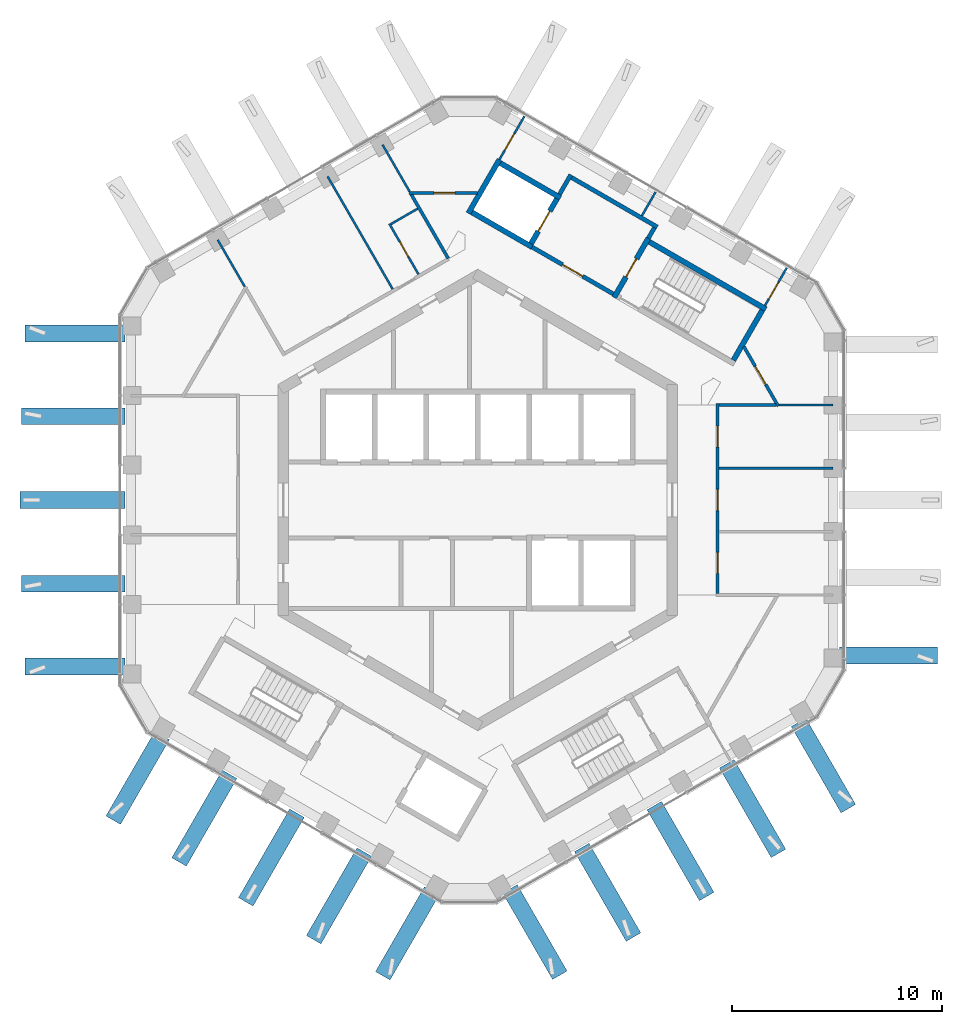
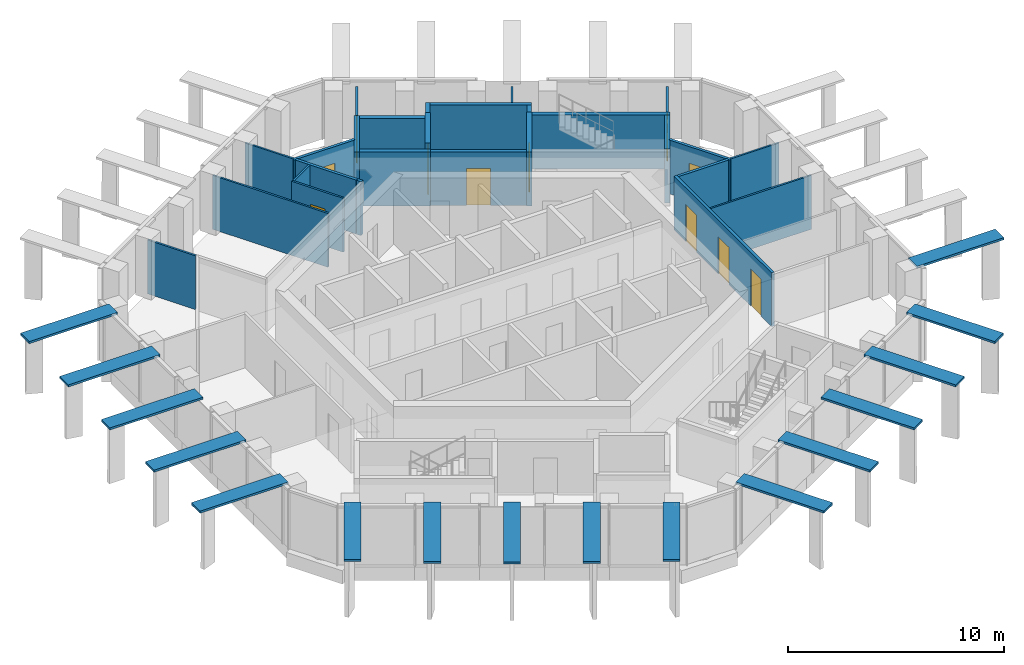
# One storey, part 13 of 18: 27 walls, 16 discrete accessories, 11 doors, 11 openings.
"""IFC4 building model written with IfcOpenShell, lengths in metres."""

from ifc_helpers import new_model, si_unit, direction, frame, frame_2d, origin, origin_2d, place, context, subcontext, project, spatial, rectangle, extrude, material, layer, layer_set, type_object, element, fill, save


model = new_model("IFC4")

# Units and contexts
model_context = context("Model", 3, precision=1e-05, world=origin(), true_north=direction((0.0, 1.0)))
body_context = subcontext(model_context, "Body", "Model", "MODEL_VIEW")
ifc_project = project(units=[si_unit("LENGTHUNIT", "METRE"), si_unit("AREAUNIT", "SQUARE_METRE"), si_unit("VOLUMEUNIT", "CUBIC_METRE"), si_unit("PLANEANGLEUNIT", "RADIAN"), si_unit("MASSUNIT", "GRAM", prefix="KILO")], contexts=[model_context])

# Site, building, storey
site_placement = place(None, origin())
site = spatial("IfcSite", under=ifc_project, at=site_placement, CompositionType="ELEMENT")
building_placement = place(site_placement, origin())
building = spatial("IfcBuilding", under=site, at=building_placement, Name="Ayvan Gate Tower", CompositionType="ELEMENT")
storey_placement = place(building_placement, frame((0.0, 0.0, 242.699951171875)))
storey = spatial("IfcBuildingStorey", under=building, at=storey_placement, Name="L65", CompositionType="ELEMENT", Elevation=242.699951171875)

# Wall, opening, door
ifc_material_1 = material(Name="Plasterboard on steel stud", Category="steel")
ifc_layer_1 = layer(ifc_material_1, 0.14990234375)
ifc_layer_set_1 = layer_set([ifc_layer_1], Name="Plasterboard on steel stud")
wall_type_1 = type_object("IfcWallType", Name="WT-CORR-150", PredefinedType="PARTITIONING", material=ifc_layer_set_1)
wall_1_placement = place(storey_placement, frame((-3.279296875, 14.595947265625, 0.0), z_axis=(0.0, 0.0, 1.0), x_axis=(1.0, 0.0, 0.0)))
wall_1 = element("IfcWall", 1, at=wall_1_placement, inside=storey, type_object=wall_type_1, Name="IW-L65-025", PredefinedType="PARTITIONING", context=body_context, shape_type="SweptSolid", body=[
    extrude(rectangle(XDim=3.267578125, YDim=0.14990234375, at=frame_2d((1.6337890625, 0.0))), origin(), (0.0, 0.0, 1.0), 3.050048828125),
])
opening_1_placement = place(wall_1_placement, frame((1.188720703125, 0.0, 0.0)))
opening_1 = element("IfcOpeningElement", 2, at=opening_1_placement, cuts=wall_1, Name="Opening L65-D27", PredefinedType="OPENING", context=body_context, shape_type="SweptSolid", body=[
    extrude(rectangle(XDim=1.0, YDim=2.10009765625, at=frame_2d((0.5, 1.050048828125))), frame((0.0, 0.0849609375, 0.0), z_axis=(0.0, -1.0, 0.0), x_axis=(1.0, 0.0, 0.0)), (0.0, 0.0, 1.0), 0.169921875),
])
ifc_material_2 = material(Name="Timber door leaf", Category="wood")
door_type_1 = type_object("IfcDoorType", Name="DT-1000", OperationType="NOTDEFINED", PredefinedType="DOOR", material=ifc_material_2)
door_1_placement = place(opening_1_placement, origin())
door_1 = element("IfcDoor", 3, at=door_1_placement, inside=storey, type_object=door_type_1, Name="ID-L65-027", OperationType="SINGLE_SWING_RIGHT", OverallHeight=2.10009765625, OverallWidth=1.0, PredefinedType="DOOR", context=body_context, shape_type="SweptSolid", body=[
    extrude(rectangle(XDim=1.0, YDim=2.10009765625, at=frame_2d((0.5, 1.050048828125))), frame((0.0, 0.02490234375, 0.0), z_axis=(0.0, -1.0, 0.0), x_axis=(1.0, 0.0, 0.0)), (0.0, 0.0, 1.0), 0.050048828125),
])
fill(opening_1, door_1)

# Walls
wall_2_placement = place(storey_placement, frame((-3.1669921875, 14.531005859375, 0.0), z_axis=(0.0, 0.0, 1.0), x_axis=(0.500017912207, -0.86601506192, 0.0)))
element("IfcWall", 4, at=wall_2_placement, inside=storey, type_object=wall_type_1, Name="IW-L65-027", PredefinedType="PARTITIONING", context=body_context, shape_type="SweptSolid", body=[
    extrude(rectangle(XDim=3.24267578125, YDim=0.14990234375, at=frame_2d((1.621337890625, 0.0))), origin(), (0.0, 0.0, 1.0), 3.050048828125),
])
wall_3_placement = place(storey_placement, frame((-1.53564453125, 11.70556640625, 0.0), z_axis=(0.0, 0.0, 1.0), x_axis=(0.500200859313, -0.865909406545, 0.0)))
element("IfcWall", 5, at=wall_3_placement, inside=storey, type_object=wall_type_1, Name="IW-L65-032", PredefinedType="PARTITIONING", context=body_context, shape_type="SweptSolid", body=[
    extrude(rectangle(XDim=0.26513671875, YDim=0.14990234375, at=frame_2d((0.132568359375, 0.0))), origin(), (0.0, 0.0, 1.0), 3.050048828125),
])

# Wall, openings, doors
wall_4_placement = place(storey_placement, frame((11.39990234375, -4.447998046875, 0.0), z_axis=(0.0, 0.0, 1.0), x_axis=(0.0, 1.0, 0.0)))
wall_4 = element("IfcWall", 6, at=wall_4_placement, inside=storey, type_object=wall_type_1, Name="IW-L65-072", PredefinedType="PARTITIONING", context=body_context, shape_type="SweptSolid", body=[
    extrude(rectangle(XDim=9.0458984375, YDim=0.14990234375, at=frame_2d((4.52294921875, 0.0))), origin(), (0.0, 0.0, 1.0), 3.050048828125),
])
opening_2_placement = place(wall_4_placement, frame((0.955078125, 0.0, 0.0)))
opening_2 = element("IfcOpeningElement", 7, at=opening_2_placement, cuts=wall_4, Name="Opening L65-D22", PredefinedType="OPENING", context=body_context, shape_type="SweptSolid", body=[
    extrude(rectangle(XDim=1.0, YDim=2.10009765625, at=frame_2d((0.5, 1.050048828125))), frame((0.0, 0.0849609375, 0.0), z_axis=(0.0, -1.0, 0.0), x_axis=(1.0, 0.0, 0.0)), (0.0, 0.0, 1.0), 0.169921875),
])
opening_3_placement = place(wall_4_placement, frame((3.947998046875, 0.0, 0.0)))
opening_3 = element("IfcOpeningElement", 8, at=opening_3_placement, cuts=wall_4, Name="Opening L65-D23", PredefinedType="OPENING", context=body_context, shape_type="SweptSolid", body=[
    extrude(rectangle(XDim=1.0, YDim=2.10009765625, at=frame_2d((0.5, 1.050048828125))), frame((0.0, 0.0849609375, 0.0), z_axis=(0.0, -1.0, 0.0), x_axis=(1.0, 0.0, 0.0)), (0.0, 0.0, 1.0), 0.169921875),
])
opening_4_placement = place(wall_4_placement, frame((6.96337890625, 0.0, 0.0)))
opening_4 = element("IfcOpeningElement", 9, at=opening_4_placement, cuts=wall_4, Name="Opening L65-D24", PredefinedType="OPENING", context=body_context, shape_type="SweptSolid", body=[
    extrude(rectangle(XDim=1.0, YDim=2.10009765625, at=frame_2d((0.5, 1.050048828125))), frame((0.0, 0.0849609375, 0.0), z_axis=(0.0, -1.0, 0.0), x_axis=(1.0, 0.0, 0.0)), (0.0, 0.0, 1.0), 0.169921875),
])
door_2_placement = place(opening_2_placement, origin())
door_2 = element("IfcDoor", 10, at=door_2_placement, inside=storey, type_object=door_type_1, Name="ID-L65-022", OperationType="SINGLE_SWING_LEFT", OverallHeight=2.10009765625, OverallWidth=1.0, PredefinedType="DOOR", context=body_context, shape_type="SweptSolid", body=[
    extrude(rectangle(XDim=1.0, YDim=2.10009765625, at=frame_2d((0.5, 1.050048828125))), frame((0.0, 0.02490234375, 0.0), z_axis=(0.0, -1.0, 0.0), x_axis=(1.0, 0.0, 0.0)), (0.0, 0.0, 1.0), 0.050048828125),
])
fill(opening_2, door_2)
door_3_placement = place(opening_3_placement, origin())
door_3 = element("IfcDoor", 11, at=door_3_placement, inside=storey, type_object=door_type_1, Name="ID-L65-023", OperationType="SINGLE_SWING_RIGHT", OverallHeight=2.10009765625, OverallWidth=1.0, PredefinedType="DOOR", context=body_context, shape_type="SweptSolid", body=[
    extrude(rectangle(XDim=1.0, YDim=2.10009765625, at=frame_2d((0.5, 1.050048828125))), frame((0.0, 0.02490234375, 0.0), z_axis=(0.0, -1.0, 0.0), x_axis=(1.0, 0.0, 0.0)), (0.0, 0.0, 1.0), 0.050048828125),
])
fill(opening_3, door_3)
door_4_placement = place(opening_4_placement, origin())
door_4 = element("IfcDoor", 12, at=door_4_placement, inside=storey, type_object=door_type_1, Name="ID-L65-024", OperationType="SINGLE_SWING_LEFT", OverallHeight=2.10009765625, OverallWidth=1.0, PredefinedType="DOOR", context=body_context, shape_type="SweptSolid", body=[
    extrude(rectangle(XDim=1.0, YDim=2.10009765625, at=frame_2d((0.5, 1.050048828125))), frame((0.0, 0.02490234375, 0.0), z_axis=(0.0, -1.0, 0.0), x_axis=(1.0, 0.0, 0.0)), (0.0, 0.0, 1.0), 0.050048828125),
])
fill(opening_4, door_4)

# Wall, opening, door
wall_5_placement = place(storey_placement, frame((12.646484375, 7.287841796875, 0.0), z_axis=(0.0, 0.0, 1.0), x_axis=(0.499996247212, -0.866027570447, 0.0)))
wall_5 = element("IfcWall", 13, at=wall_5_placement, inside=storey, type_object=wall_type_1, Name="IW-L65-076", PredefinedType="PARTITIONING", context=body_context, shape_type="SweptSolid", body=[
    extrude(rectangle(XDim=3.267578125, YDim=0.14990234375, at=frame_2d((1.6337890625, 0.0))), origin(), (0.0, 0.0, 1.0), 3.050048828125),
])
opening_5_placement = place(wall_5_placement, frame((1.0791015625, 0.0, 0.0)))
opening_5 = element("IfcOpeningElement", 14, at=opening_5_placement, cuts=wall_5, Name="Opening L65-D25", PredefinedType="OPENING", context=body_context, shape_type="SweptSolid", body=[
    extrude(rectangle(XDim=1.0, YDim=2.10009765625, at=frame_2d((0.5, 1.050048828125))), frame((0.0, 0.0849609375, 0.0), z_axis=(0.0, -1.0, 0.0), x_axis=(1.0, 0.0, 0.0)), (0.0, 0.0, 1.0), 0.169921875),
])
door_5_placement = place(opening_5_placement, origin())
door_5 = element("IfcDoor", 15, at=door_5_placement, inside=storey, type_object=door_type_1, Name="ID-L65-025", OperationType="SINGLE_SWING_RIGHT", OverallHeight=2.10009765625, OverallWidth=1.0, PredefinedType="DOOR", context=body_context, shape_type="SweptSolid", body=[
    extrude(rectangle(XDim=1.0, YDim=2.10009765625, at=frame_2d((0.5, 1.050048828125))), frame((0.0, 0.02490234375, 0.0), z_axis=(0.0, -1.0, 0.0), x_axis=(1.0, 0.0, 0.0)), (0.0, 0.0, 1.0), 0.050048828125),
])
fill(opening_5, door_5)

# Walls
wall_6_placement = place(storey_placement, frame((14.167724609375, 4.52294921875, 0.0), z_axis=(0.0, 0.0, 1.0), x_axis=(-1.0, 0.0, 0.0)))
element("IfcWall", 16, at=wall_6_placement, inside=storey, type_object=wall_type_1, Name="IW-L65-079", PredefinedType="PARTITIONING", context=body_context, shape_type="SweptSolid", body=[
    extrude(rectangle(XDim=2.69287109375, YDim=0.14990234375, at=frame_2d((1.346435546875, 0.0))), origin(), (0.0, 0.0, 1.0), 3.050048828125),
])
ifc_layer_2 = layer(ifc_material_1, 0.10009765625)
ifc_layer_set_2 = layer_set([ifc_layer_2], Name="Plasterboard on steel stud")
wall_type_2 = type_object("IfcWallType", Name="WT-PART-100", PredefinedType="PARTITIONING", material=ifc_layer_set_2)
wall_7_placement = place(storey_placement, frame((-12.360595703125, 12.363525390625, 0.0), z_axis=(0.0, 0.0, 1.0), x_axis=(0.499960970066, -0.866047936555, 0.0)))
element("IfcWall", 17, at=wall_7_placement, inside=storey, type_object=wall_type_2, Name="IW-L65-003", PredefinedType="PARTITIONING", context=body_context, shape_type="SweptSolid", body=[
    extrude(rectangle(XDim=2.569580078125, YDim=0.10009765625, at=frame_2d((1.28466796875, 0.0))), origin(), (0.0, 0.0, 1.0), 3.050048828125),
])

# Wall, opening, door
wall_8_placement = place(storey_placement, frame((-4.20361328125, 13.126708984375, 0.0), z_axis=(0.0, 0.0, 1.0), x_axis=(0.50000932403, -0.866020020486, 0.0)))
wall_8 = element("IfcWall", 18, at=wall_8_placement, inside=storey, type_object=wall_type_2, Name="IW-L65-019", PredefinedType="PARTITIONING", context=body_context, shape_type="SweptSolid", body=[
    extrude(rectangle(XDim=2.77490234375, YDim=0.10009765625, at=frame_2d((1.387451171875, 0.0))), origin(), (0.0, 0.0, 1.0), 3.050048828125),
])
opening_6_placement = place(wall_8_placement, frame((1.012451171875, 0.0, 0.0)))
opening_6 = element("IfcOpeningElement", 19, at=opening_6_placement, cuts=wall_8, Name="Opening L65-D35", PredefinedType="OPENING", context=body_context, shape_type="SweptSolid", body=[
    extrude(rectangle(XDim=0.800048828125, YDim=2.10009765625, at=frame_2d((0.39990234375, 1.050048828125))), frame((0.0, 0.06005859375, 0.0), z_axis=(0.0, -1.0, 0.0), x_axis=(1.0, 0.0, 0.0)), (0.0, 0.0, 1.0), 0.1201171875),
])
door_type_2 = type_object("IfcDoorType", Name="DT-800", OperationType="NOTDEFINED", PredefinedType="DOOR", material=ifc_material_2)
door_6_placement = place(opening_6_placement, origin())
door_6 = element("IfcDoor", 20, at=door_6_placement, inside=storey, type_object=door_type_2, Name="ID-L65-035", OperationType="SINGLE_SWING_RIGHT", OverallHeight=2.10009765625, OverallWidth=0.800048828125, PredefinedType="DOOR", context=body_context, shape_type="SweptSolid", body=[
    extrude(rectangle(XDim=0.800048828125, YDim=2.10009765625, at=frame_2d((0.39990234375, 1.050048828125))), frame((0.0, 0.02490234375, 0.0), z_axis=(0.0, -1.0, 0.0), x_axis=(1.0, 0.0, 0.0)), (0.0, 0.0, 1.0), 0.050048828125),
])
fill(opening_6, door_6)

# Walls
wall_9_placement = place(storey_placement, frame((-4.041748046875, 10.01611328125, 0.0), z_axis=(0.0, 0.0, 1.0), x_axis=(-0.500027320894, 0.866009629484, 0.0)))
element("IfcWall", 21, at=wall_9_placement, inside=storey, type_object=wall_type_2, Name="IW-L65-020", PredefinedType="PARTITIONING", context=body_context, shape_type="SweptSolid", body=[
    extrude(rectangle(XDim=6.192626953125, YDim=0.10009765625, at=frame_2d((3.09619140625, 0.0))), origin(), (0.0, 0.0, 1.0), 3.050048828125),
])
wall_10_placement = place(storey_placement, frame((-3.241943359375, 14.660888671875, 0.0), z_axis=(0.0, 0.0, 1.0), x_axis=(-0.499991089772, 0.866030548046, 0.0)))
element("IfcWall", 22, at=wall_10_placement, inside=storey, type_object=wall_type_2, Name="IW-L65-024", PredefinedType="PARTITIONING", context=body_context, shape_type="SweptSolid", body=[
    extrude(rectangle(XDim=2.56982421875, YDim=0.10009765625, at=frame_2d((1.284912109375, 0.0))), origin(), (0.0, 0.0, 1.0), 3.050048828125),
])
wall_11_placement = place(storey_placement, frame((-2.85791015625, 13.845947265625, 0.0), z_axis=(0.0, 0.0, 1.0), x_axis=(-0.866003658127, -0.500037662692, 0.0)))
element("IfcWall", 23, at=wall_11_placement, inside=storey, type_object=wall_type_2, Name="IW-L65-026", PredefinedType="PARTITIONING", context=body_context, shape_type="SweptSolid", body=[
    extrude(rectangle(XDim=1.47509765625, YDim=0.10009765625, at=frame_2d((0.737548828125, 0.0))), origin(), (0.0, 0.0, 1.0), 3.050048828125),
])

# Wall, opening, door
wall_12_placement = place(storey_placement, frame((2.211181640625, 18.229736328125, 0.0), z_axis=(0.0, 0.0, 1.0), x_axis=(-0.50001992892, -0.866013897511, 0.0)))
wall_12 = element("IfcWall", 24, at=wall_12_placement, inside=storey, type_object=wall_type_2, Name="IW-L65-042", PredefinedType="PARTITIONING", context=body_context, shape_type="SweptSolid", body=[
    extrude(rectangle(XDim=2.3681640625, YDim=0.10009765625, at=frame_2d((1.18408203125, 0.0))), origin(), (0.0, 0.0, 1.0), 3.050048828125),
])
opening_7_placement = place(wall_12_placement, frame((0.944580078125, 0.0, 0.0)))
opening_7 = element("IfcOpeningElement", 25, at=opening_7_placement, cuts=wall_12, Name="Opening L65-D28", PredefinedType="OPENING", context=body_context, shape_type="SweptSolid", body=[
    extrude(rectangle(XDim=0.89990234375, YDim=2.10009765625, at=frame_2d((0.449951171875, 1.050048828125))), frame((0.0, 0.06005859375, 0.0), z_axis=(0.0, -1.0, 0.0), x_axis=(1.0, 0.0, 0.0)), (0.0, 0.0, 1.0), 0.1201171875),
])
door_type_3 = type_object("IfcDoorType", Name="DT-900", OperationType="NOTDEFINED", PredefinedType="DOOR", material=ifc_material_2)
door_7_placement = place(opening_7_placement, origin())
door_7 = element("IfcDoor", 26, at=door_7_placement, inside=storey, type_object=door_type_3, Name="ID-L65-028", OperationType="SINGLE_SWING_LEFT", OverallHeight=2.10009765625, OverallWidth=0.89990234375, PredefinedType="DOOR", context=body_context, shape_type="SweptSolid", body=[
    extrude(rectangle(XDim=0.89990234375, YDim=2.10009765625, at=frame_2d((0.449951171875, 1.050048828125))), frame((0.0, 0.02490234375, 0.0), z_axis=(0.0, -1.0, 0.0), x_axis=(1.0, 0.0, 0.0)), (0.0, 0.0, 1.0), 0.050048828125),
])
fill(opening_7, door_7)

# Walls
wall_13_placement = place(storey_placement, frame((7.800048828125, 13.510009765625, 0.0), z_axis=(0.0, 0.0, 1.0), x_axis=(0.499956713172, 0.866050394004, 0.0)))
element("IfcWall", 27, at=wall_13_placement, inside=storey, type_object=wall_type_2, Name="IW-L65-063", PredefinedType="PARTITIONING", context=body_context, shape_type="SweptSolid", body=[
    extrude(rectangle(XDim=1.29296875, YDim=0.10009765625, at=frame_2d((0.646484375, 0.0))), origin(), (0.0, 0.0, 1.0), 3.050048828125),
])
wall_14_placement = place(storey_placement, frame((11.47509765625, 1.5078125, 0.0), z_axis=(0.0, 0.0, 1.0), x_axis=(1.0, 0.0, 0.0)))
element("IfcWall", 28, at=wall_14_placement, inside=storey, type_object=wall_type_2, Name="IW-L65-073", PredefinedType="PARTITIONING", context=body_context, shape_type="SweptSolid", body=[
    extrude(rectangle(XDim=5.412353515625, YDim=0.10009765625, at=frame_2d((2.7060546875, 0.0))), origin(), (0.0, 0.0, 1.0), 3.050048828125),
])

# Wall, opening, door
wall_15_placement = place(storey_placement, frame((13.647705078125, 9.23876953125, 0.0), z_axis=(0.0, 0.0, 1.0), x_axis=(0.500049439734, 0.865996857859, 0.0)))
wall_15 = element("IfcWall", 29, at=wall_15_placement, inside=storey, type_object=wall_type_2, Name="IW-L65-078", PredefinedType="PARTITIONING", context=body_context, shape_type="SweptSolid", body=[
    extrude(rectangle(XDim=2.068115234375, YDim=0.10009765625, at=frame_2d((1.0341796875, 0.0))), origin(), (0.0, 0.0, 1.0), 3.050048828125),
])
opening_8_placement = place(wall_15_placement, frame((0.37353515625, 0.0, 0.0)))
opening_8 = element("IfcOpeningElement", 30, at=opening_8_placement, cuts=wall_15, Name="Opening L65-D26", PredefinedType="OPENING", context=body_context, shape_type="SweptSolid", body=[
    extrude(rectangle(XDim=0.89990234375, YDim=2.10009765625, at=frame_2d((0.449951171875, 1.050048828125))), frame((0.0, 0.06005859375, 0.0), z_axis=(0.0, -1.0, 0.0), x_axis=(1.0, 0.0, 0.0)), (0.0, 0.0, 1.0), 0.1201171875),
])
door_8_placement = place(opening_8_placement, origin())
door_8 = element("IfcDoor", 31, at=door_8_placement, inside=storey, type_object=door_type_3, Name="ID-L65-026", OperationType="SINGLE_SWING_LEFT", OverallHeight=2.10009765625, OverallWidth=0.89990234375, PredefinedType="DOOR", context=body_context, shape_type="SweptSolid", body=[
    extrude(rectangle(XDim=0.89990234375, YDim=2.10009765625, at=frame_2d((0.449951171875, 1.050048828125))), frame((0.0, 0.02490234375, 0.0), z_axis=(0.0, -1.0, 0.0), x_axis=(1.0, 0.0, 0.0)), (0.0, 0.0, 1.0), 0.050048828125),
])
fill(opening_8, door_8)

# Walls
wall_16_placement = place(storey_placement, frame((14.317626953125, 4.52294921875, 0.0), z_axis=(0.0, 0.0, 1.0), x_axis=(1.0, 0.0, 0.0)))
element("IfcWall", 32, at=wall_16_placement, inside=storey, type_object=wall_type_2, Name="IW-L65-080", PredefinedType="PARTITIONING", context=body_context, shape_type="SweptSolid", body=[
    extrude(rectangle(XDim=2.56982421875, YDim=0.10009765625, at=frame_2d((1.284912109375, 0.0))), origin(), (0.0, 0.0, 1.0), 3.050048828125),
])
ifc_layer_3 = layer(ifc_material_1, 0.199951171875)
ifc_layer_set_3 = layer_set([ifc_layer_3], Name="Plasterboard on steel stud")
wall_type_3 = type_object("IfcWallType", Name="WT-RATED-200", PredefinedType="PARTITIONING", material=ifc_layer_set_3)
wall_17_placement = place(storey_placement, frame((3.885009765625, 14.52880859375, 0.0), z_axis=(0.0, 0.0, 1.0), x_axis=(0.499997628298, 0.866026773083, 0.0)))
element("IfcWall", 33, at=wall_17_placement, inside=storey, type_object=wall_type_3, Name="IW-L65-049", PredefinedType="PARTITIONING", context=body_context, shape_type="SweptSolid", body=[
    extrude(rectangle(XDim=1.0751953125, YDim=0.199951171875, at=frame_2d((0.53759765625, 0.0))), origin(), (0.0, 0.0, 1.0), 3.050048828125),
])
wall_18_placement = place(storey_placement, frame((4.458984375, 15.323486328125, 0.0), z_axis=(0.0, 0.0, 1.0), x_axis=(0.866016039709, -0.500016218704, 0.0)))
element("IfcWall", 34, at=wall_18_placement, inside=storey, type_object=wall_type_3, Name="IW-L65-050", PredefinedType="PARTITIONING", context=body_context, shape_type="SweptSolid", body=[
    extrude(rectangle(XDim=4.699951171875, YDim=0.199951171875, at=frame_2d((2.35009765625, 0.0))), origin(), (0.0, 0.0, 1.0), 3.050048828125),
])

# Wall, opening, door
wall_19_placement = place(storey_placement, frame((6.4345703125, 9.794921875, 0.0), z_axis=(0.0, 0.0, 1.0), x_axis=(-0.866012907634, 0.500021643343, 0.0)))
wall_19 = element("IfcWall", 35, at=wall_19_placement, inside=storey, type_object=wall_type_3, Name="IW-L65-055", PredefinedType="PARTITIONING", context=body_context, shape_type="SweptSolid", body=[
    extrude(rectangle(XDim=4.449951171875, YDim=0.199951171875, at=frame_2d((2.22509765625, 0.0))), origin(), (0.0, 0.0, 1.0), 3.050048828125),
])
opening_9_placement = place(wall_19_placement, frame((1.675048828125, 0.0, 0.0)))
opening_9 = element("IfcOpeningElement", 36, at=opening_9_placement, cuts=wall_19, Name="Opening L65-D13", PredefinedType="OPENING", context=body_context, shape_type="SweptSolid", body=[
    extrude(rectangle(XDim=1.10009765625, YDim=2.10009765625, at=frame_2d((0.550048828125, 1.050048828125))), frame((0.0, 0.10986328125, 0.0), z_axis=(0.0, -1.0, 0.0), x_axis=(1.0, 0.0, 0.0)), (0.0, 0.0, 1.0), 0.219970703125),
])
door_type_4 = type_object("IfcDoorType", Name="DT-1100", OperationType="NOTDEFINED", PredefinedType="DOOR", material=ifc_material_2)
door_9_placement = place(opening_9_placement, origin())
door_9 = element("IfcDoor", 37, at=door_9_placement, inside=storey, type_object=door_type_4, Name="ID-L65-013", OperationType="SINGLE_SWING_RIGHT", OverallHeight=2.10009765625, OverallWidth=1.10009765625, PredefinedType="DOOR", context=body_context, shape_type="SweptSolid", body=[
    extrude(rectangle(XDim=1.10009765625, YDim=2.10009765625, at=frame_2d((0.550048828125, 1.050048828125))), frame((0.0, 0.02490234375, 0.0), z_axis=(0.0, -1.0, 0.0), x_axis=(1.0, 0.0, 0.0)), (0.0, 0.0, 1.0), 0.050048828125),
])
fill(opening_9, door_9)

# Walls
wall_20_placement = place(storey_placement, frame((8.392822265625, 12.936767578125, 0.0), z_axis=(0.0, 0.0, 1.0), x_axis=(-0.500065409566, -0.86598763626, 0.0)))
element("IfcWall", 38, at=wall_20_placement, inside=storey, type_object=wall_type_3, Name="IW-L65-065", PredefinedType="PARTITIONING", context=body_context, shape_type="SweptSolid", body=[
    extrude(rectangle(XDim=0.5751953125, YDim=0.199951171875, at=frame_2d((0.28759765625, 0.0))), origin(), (0.0, 0.0, 1.0), 3.050048828125),
])
ifc_material_3 = material(Name="Concrete C50/60", Category="concrete")
ifc_layer_4 = layer(ifc_material_3, 0.25)
ifc_layer_set_4 = layer_set([ifc_layer_4], Name="Concrete C50/60")
wall_type_4 = type_object("IfcWallType", Name="WT-RC-250", PredefinedType="SHEAR", material=ifc_layer_set_4)
wall_21_placement = place(storey_placement, frame((-0.447998046875, 13.624267578125, 0.0), z_axis=(0.0, 0.0, 1.0), x_axis=(0.500037662692, 0.866003658127, 0.0)))
element("IfcWall", 39, at=wall_21_placement, inside=storey, type_object=wall_type_4, Name="IW-L65-036", PredefinedType="SHEAR", context=body_context, shape_type="SweptSolid", body=[
    extrude(rectangle(XDim=2.949951171875, YDim=0.25, at=frame_2d((1.47509765625, 0.0))), origin(), (0.0, 0.0, 1.0), 3.050048828125),
])
for number, where, z_axis, x_axis, name in (
    (40, (1.072998046875, 16.00830078125, 0.0), (0.0, 0.0, 1.0), (0.866040211805, -0.499974350878, 0.0), "IW-L65-039"),
    (41, (2.580810546875, 12.02001953125, 0.0), (0.0, 0.0, 1.0), (-0.866040211805, 0.499974350878, 0.0), "IW-L65-045"),
):
    element("IfcWall", number, at=place(storey_placement, frame(where, z_axis=z_axis, x_axis=x_axis)), inside=storey, type_object=wall_type_4, Name=name, PredefinedType="SHEAR", context=body_context, shape_type="SweptSolid", body=[
        extrude(rectangle(XDim=3.300048828125, YDim=0.25, at=frame_2d((1.64990234375, 0.0))), origin(), (0.0, 0.0, 1.0), 3.050048828125),
    ])

# Wall, opening, door
wall_22_placement = place(storey_placement, frame((2.534912109375, 12.19091796875, 0.0), z_axis=(0.0, 0.0, 1.0), x_axis=(0.500061746146, 0.865989751695, 0.0)))
wall_22 = element("IfcWall", 42, at=wall_22_placement, inside=storey, type_object=wall_type_4, Name="IW-L65-046", PredefinedType="SHEAR", context=body_context, shape_type="SweptSolid", body=[
    extrude(rectangle(XDim=2.449951171875, YDim=0.25, at=frame_2d((1.22509765625, 0.0))), origin(), (0.0, 0.0, 1.0), 3.400146484375),
])
opening_10_placement = place(wall_22_placement, frame((0.675048828125, 0.0, 0.0)))
opening_10 = element("IfcOpeningElement", 43, at=opening_10_placement, cuts=wall_22, Name="Opening L65-LD-FF1", PredefinedType="OPENING", context=body_context, shape_type="SweptSolid", body=[
    extrude(rectangle(XDim=1.10009765625, YDim=2.10009765625, at=frame_2d((0.550048828125, 1.050048828125))), frame((0.0, 0.135009765625, 0.0), z_axis=(0.0, -1.0, 0.0), x_axis=(1.0, 0.0, 0.0)), (0.0, 0.0, 1.0), 0.27001953125),
])
ifc_material_4 = material(Name="Stainless steel landing door", Category="steel")
door_type_5 = type_object("IfcDoorType", Name="DT-LANDING-1100", OperationType="SLIDING_TO_LEFT", PredefinedType="DOOR", material=ifc_material_4)
door_10_placement = place(opening_10_placement, origin())
door_10 = element("IfcDoor", 44, at=door_10_placement, inside=storey, type_object=door_type_5, Name="ID-L65-014", OperationType="SLIDING_TO_LEFT", OverallHeight=2.10009765625, OverallWidth=1.10009765625, PredefinedType="DOOR", context=body_context, shape_type="SweptSolid", body=[
    extrude(rectangle(XDim=1.10009765625, YDim=2.10009765625, at=frame_2d((0.550048828125, 1.050048828125))), frame((0.0, 0.02490234375, 0.0), z_axis=(0.0, -1.0, 0.0), x_axis=(1.0, 0.0, 0.0)), (0.0, 0.0, 1.0), 0.050048828125),
])
fill(opening_10, door_10)

wall_23_placement = place(storey_placement, frame((6.480224609375, 9.624267578125, 0.0), z_axis=(0.0, 0.0, 1.0), x_axis=(0.500017246033, 0.866015446554, 0.0)))
wall_23 = element("IfcWall", 45, at=wall_23_placement, inside=storey, type_object=wall_type_4, Name="IW-L65-056", PredefinedType="SHEAR", context=body_context, shape_type="SweptSolid", body=[
    extrude(rectangle(XDim=3.25, YDim=0.25, at=frame_2d((1.625, 0.0))), origin(), (0.0, 0.0, 1.0), 3.050048828125),
])
opening_11_placement = place(wall_23_placement, frame((1.125, 0.0, 0.0)))
opening_11 = element("IfcOpeningElement", 46, at=opening_11_placement, cuts=wall_23, Name="Opening L65-D12", PredefinedType="OPENING", context=body_context, shape_type="SweptSolid", body=[
    extrude(rectangle(XDim=1.0, YDim=2.10009765625, at=frame_2d((0.5, 1.050048828125))), frame((0.0, 0.135009765625, 0.0), z_axis=(0.0, -1.0, 0.0), x_axis=(1.0, 0.0, 0.0)), (0.0, 0.0, 1.0), 0.27001953125),
])
door_11_placement = place(opening_11_placement, origin())
door_11 = element("IfcDoor", 47, at=door_11_placement, inside=storey, type_object=door_type_1, Name="ID-L65-012", OperationType="SINGLE_SWING_LEFT", OverallHeight=2.10009765625, OverallWidth=1.0, PredefinedType="DOOR", context=body_context, shape_type="SweptSolid", body=[
    extrude(rectangle(XDim=1.0, YDim=2.10009765625, at=frame_2d((0.5, 1.050048828125))), frame((0.0, 0.02490234375, 0.0), z_axis=(0.0, -1.0, 0.0), x_axis=(1.0, 0.0, 0.0)), (0.0, 0.0, 1.0), 0.050048828125),
])
fill(opening_11, door_11)

# Walls
wall_24_placement = place(storey_placement, frame((8.151123046875, 12.26806640625, 0.0), z_axis=(0.0, 0.0, 1.0), x_axis=(0.866025499775, -0.499999833739, 0.0)))
element("IfcWall", 48, at=wall_24_placement, inside=storey, type_object=wall_type_4, Name="IW-L65-064", PredefinedType="SHEAR", context=body_context, shape_type="SweptSolid", body=[
    extrude(rectangle(XDim=6.39990234375, YDim=0.25, at=frame_2d((3.199951171875, 0.0))), origin(), (0.0, 0.0, 1.0), 3.050048828125),
])
wall_25_placement = place(storey_placement, frame((12.14794921875, 6.640869140625, 0.0), z_axis=(0.0, 0.0, 1.0), x_axis=(0.500034990121, 0.866005201286, 0.0)))
element("IfcWall", 49, at=wall_25_placement, inside=storey, type_object=wall_type_4, Name="IW-L65-077", PredefinedType="SHEAR", context=body_context, shape_type="SweptSolid", body=[
    extrude(rectangle(XDim=2.749755859375, YDim=0.25, at=frame_2d((1.375, 0.0))), origin(), (0.0, 0.0, 1.0), 3.050048828125),
])

# Discrete accessories
ifc_material_5 = material(Name="Stainless steel 316", Category="steel")
ifc_layer_5 = layer(ifc_material_5, 0.1201171875)
ifc_layer_set_5 = layer_set([ifc_layer_5], Name="Stainless steel 316")
discrete_accessory_type = type_object("IfcDiscreteAccessoryType", Name="Fin carrier bracket", PredefinedType="BRACKET", material=ifc_layer_set_5)
discrete_accessory_1_placement = place(storey_placement, frame((-19.140380859375, -7.916748046875, 3.280029296875), z_axis=(0.0, 0.0, 1.0), x_axis=(0.0, -1.0, 0.0)))
element("IfcDiscreteAccessory", 50, at=discrete_accessory_1_placement, inside=storey, type_object=discrete_accessory_type, Name="Fin carrier 153", PredefinedType="BRACKET", context=body_context, shape_type="SweptSolid", body=[
    extrude(rectangle(XDim=0.800048828125, YDim=4.736572265625, at=origin_2d()), origin(), (0.0, 0.0, 1.0), 0.1201171875),
])
discrete_accessory_2_placement = place(storey_placement, frame((-19.23095703125, -3.977783203125, 3.280029296875), z_axis=(0.0, 0.0, 1.0), x_axis=(0.0, -1.0, 0.0)))
element("IfcDiscreteAccessory", 51, at=discrete_accessory_2_placement, inside=storey, type_object=discrete_accessory_type, Name="Fin carrier 161", PredefinedType="BRACKET", context=body_context, shape_type="SweptSolid", body=[
    extrude(rectangle(XDim=0.800048828125, YDim=4.917724609375, at=origin_2d()), origin(), (0.0, 0.0, 1.0), 0.1201171875),
])
discrete_accessory_3_placement = place(storey_placement, frame((-19.26416015625, -0.000244140625, 3.280029296875), z_axis=(0.0, 0.0, 1.0), x_axis=(0.0, -1.0, 0.0)))
element("IfcDiscreteAccessory", 52, at=discrete_accessory_3_placement, inside=storey, type_object=discrete_accessory_type, Name="Fin carrier 170", PredefinedType="BRACKET", context=body_context, shape_type="SweptSolid", body=[
    extrude(rectangle(XDim=0.800048828125, YDim=4.984130859375, at=origin_2d()), origin(), (0.0, 0.0, 1.0), 0.1201171875),
])
discrete_accessory_4_placement = place(storey_placement, frame((-19.23095703125, 3.977294921875, 3.280029296875), z_axis=(0.0, 0.0, 1.0), x_axis=(0.0, -1.0, 0.0)))
element("IfcDiscreteAccessory", 53, at=discrete_accessory_4_placement, inside=storey, type_object=discrete_accessory_type, Name="Fin carrier 178", PredefinedType="BRACKET", context=body_context, shape_type="SweptSolid", body=[
    extrude(rectangle(XDim=0.800048828125, YDim=4.917724609375, at=origin_2d()), origin(), (0.0, 0.0, 1.0), 0.1201171875),
])
discrete_accessory_5_placement = place(storey_placement, frame((-19.140380859375, 7.916748046875, 3.280029296875), z_axis=(0.0, 0.0, 1.0), x_axis=(0.0, -1.0, 0.0)))
element("IfcDiscreteAccessory", 54, at=discrete_accessory_5_placement, inside=storey, type_object=discrete_accessory_type, Name="Fin carrier 186", PredefinedType="BRACKET", context=body_context, shape_type="SweptSolid", body=[
    extrude(rectangle(XDim=0.800048828125, YDim=4.736572265625, at=origin_2d()), origin(), (0.0, 0.0, 1.0), 0.1201171875),
])
discrete_accessory_6_placement = place(storey_placement, frame((-16.16162109375, -13.20166015625, 3.280029296875), z_axis=(0.0, 0.0, 1.0), x_axis=(0.866025403784, -0.5, 0.0)))
element("IfcDiscreteAccessory", 55, at=discrete_accessory_6_placement, inside=storey, type_object=discrete_accessory_type, Name="Fin carrier 231", PredefinedType="BRACKET", context=body_context, shape_type="SweptSolid", body=[
    extrude(rectangle(XDim=0.800048828125, YDim=4.652587890625, at=origin_2d()), origin(), (0.0, 0.0, 1.0), 0.1201171875),
])
discrete_accessory_7_placement = place(storey_placement, frame((-12.995361328125, -15.1201171875, 3.280029296875), z_axis=(0.0, 0.0, 1.0), x_axis=(0.866025403784, -0.5, 0.0)))
element("IfcDiscreteAccessory", 56, at=discrete_accessory_7_placement, inside=storey, type_object=discrete_accessory_type, Name="Fin carrier 296", PredefinedType="BRACKET", context=body_context, shape_type="SweptSolid", body=[
    extrude(rectangle(XDim=0.800048828125, YDim=4.809326171875, at=origin_2d()), origin(), (0.0, 0.0, 1.0), 0.1201171875),
])
discrete_accessory_8_placement = place(storey_placement, frame((-9.81005859375, -16.991455078125, 3.280029296875), z_axis=(0.0, 0.0, 1.0), x_axis=(0.866025403784, -0.5, 0.0)))
element("IfcDiscreteAccessory", 57, at=discrete_accessory_8_placement, inside=storey, type_object=discrete_accessory_type, Name="Fin carrier 360", PredefinedType="BRACKET", context=body_context, shape_type="SweptSolid", body=[
    extrude(rectangle(XDim=0.800048828125, YDim=4.864990234375, at=origin_2d()), origin(), (0.0, 0.0, 1.0), 0.1201171875),
])
discrete_accessory_9_placement = place(storey_placement, frame((-6.596435546875, -18.814453125, 3.280029296875), z_axis=(0.0, 0.0, 1.0), x_axis=(0.866025403784, -0.5, 0.0)))
element("IfcDiscreteAccessory", 58, at=discrete_accessory_9_placement, inside=storey, type_object=discrete_accessory_type, Name="Fin carrier 424", PredefinedType="BRACKET", context=body_context, shape_type="SweptSolid", body=[
    extrude(rectangle(XDim=0.800048828125, YDim=4.809326171875, at=origin_2d()), origin(), (0.0, 0.0, 1.0), 0.1201171875),
])
discrete_accessory_10_placement = place(storey_placement, frame((-3.35205078125, -20.59716796875, 3.280029296875), z_axis=(0.0, 0.0, 1.0), x_axis=(0.866025403784, -0.5, 0.0)))
element("IfcDiscreteAccessory", 59, at=discrete_accessory_10_placement, inside=storey, type_object=discrete_accessory_type, Name="Fin carrier 486", PredefinedType="BRACKET", context=body_context, shape_type="SweptSolid", body=[
    extrude(rectangle(XDim=0.800048828125, YDim=4.652587890625, at=origin_2d()), origin(), (0.0, 0.0, 1.0), 0.1201171875),
])
discrete_accessory_11_placement = place(storey_placement, frame((2.714111328125, -20.534423828125, 3.280029296875), z_axis=(0.0, 0.0, 1.0), x_axis=(0.866025403784, 0.5, 0.0)))
element("IfcDiscreteAccessory", 60, at=discrete_accessory_11_placement, inside=storey, type_object=discrete_accessory_type, Name="Fin carrier 544", PredefinedType="BRACKET", context=body_context, shape_type="SweptSolid", body=[
    extrude(rectangle(XDim=0.800048828125, YDim=4.736572265625, at=origin_2d()), origin(), (0.0, 0.0, 1.0), 0.1201171875),
])
discrete_accessory_12_placement = place(storey_placement, frame((6.1708984375, -18.64306640625, 3.280029296875), z_axis=(0.0, 0.0, 1.0), x_axis=(0.866025403784, 0.5, 0.0)))
element("IfcDiscreteAccessory", 61, at=discrete_accessory_12_placement, inside=storey, type_object=discrete_accessory_type, Name="Fin carrier 604", PredefinedType="BRACKET", context=body_context, shape_type="SweptSolid", body=[
    extrude(rectangle(XDim=0.800048828125, YDim=4.917724609375, at=origin_2d()), origin(), (0.0, 0.0, 1.0), 0.1201171875),
])
discrete_accessory_13_placement = place(storey_placement, frame((9.632080078125, -16.68310546875, 3.280029296875), z_axis=(0.0, 0.0, 1.0), x_axis=(0.866025403784, 0.5, 0.0)))
element("IfcDiscreteAccessory", 62, at=discrete_accessory_13_placement, inside=storey, type_object=discrete_accessory_type, Name="Fin carrier 666", PredefinedType="BRACKET", context=body_context, shape_type="SweptSolid", body=[
    extrude(rectangle(XDim=0.800048828125, YDim=4.984130859375, at=origin_2d()), origin(), (0.0, 0.0, 1.0), 0.1201171875),
])
discrete_accessory_14_placement = place(storey_placement, frame((13.060302734375, -14.66552734375, 3.280029296875), z_axis=(0.0, 0.0, 1.0), x_axis=(0.866025403784, 0.5, 0.0)))
element("IfcDiscreteAccessory", 63, at=discrete_accessory_14_placement, inside=storey, type_object=discrete_accessory_type, Name="Fin carrier 735", PredefinedType="BRACKET", context=body_context, shape_type="SweptSolid", body=[
    extrude(rectangle(XDim=0.800048828125, YDim=4.917724609375, at=origin_2d()), origin(), (0.0, 0.0, 1.0), 0.1201171875),
])
discrete_accessory_15_placement = place(storey_placement, frame((16.42626953125, -12.61767578125, 3.280029296875), z_axis=(0.0, 0.0, 1.0), x_axis=(0.866025403784, 0.5, 0.0)))
element("IfcDiscreteAccessory", 64, at=discrete_accessory_15_placement, inside=storey, type_object=discrete_accessory_type, Name="Fin carrier 801", PredefinedType="BRACKET", context=body_context, shape_type="SweptSolid", body=[
    extrude(rectangle(XDim=0.800048828125, YDim=4.736572265625, at=origin_2d()), origin(), (0.0, 0.0, 1.0), 0.1201171875),
])
discrete_accessory_16_placement = place(storey_placement, frame((19.513916015625, -7.3955078125, 3.280029296875), z_axis=(0.0, 0.0, 1.0), x_axis=(0.0, 1.0, 0.0)))
element("IfcDiscreteAccessory", 65, at=discrete_accessory_16_placement, inside=storey, type_object=discrete_accessory_type, Name="Fin carrier 838", PredefinedType="BRACKET", context=body_context, shape_type="SweptSolid", body=[
    extrude(rectangle(XDim=0.800048828125, YDim=4.652587890625, at=origin_2d()), origin(), (0.0, 0.0, 1.0), 0.1201171875),
])

save(model, "model.ifc")
